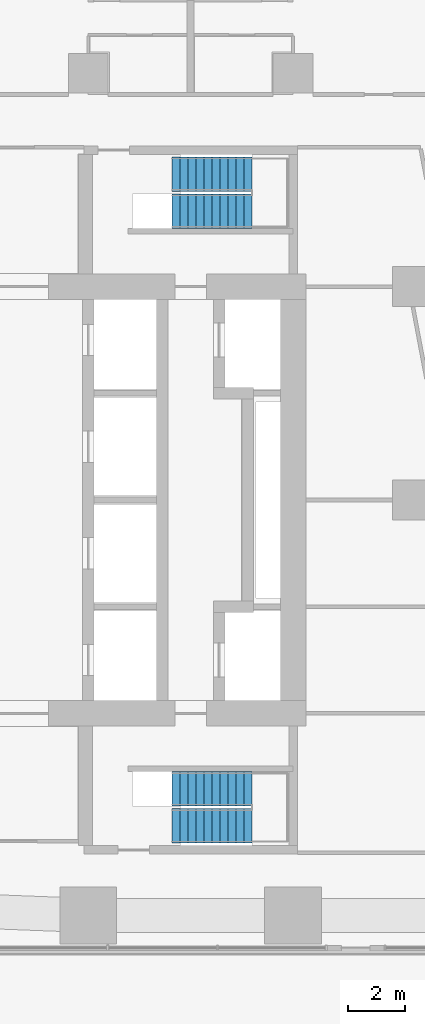
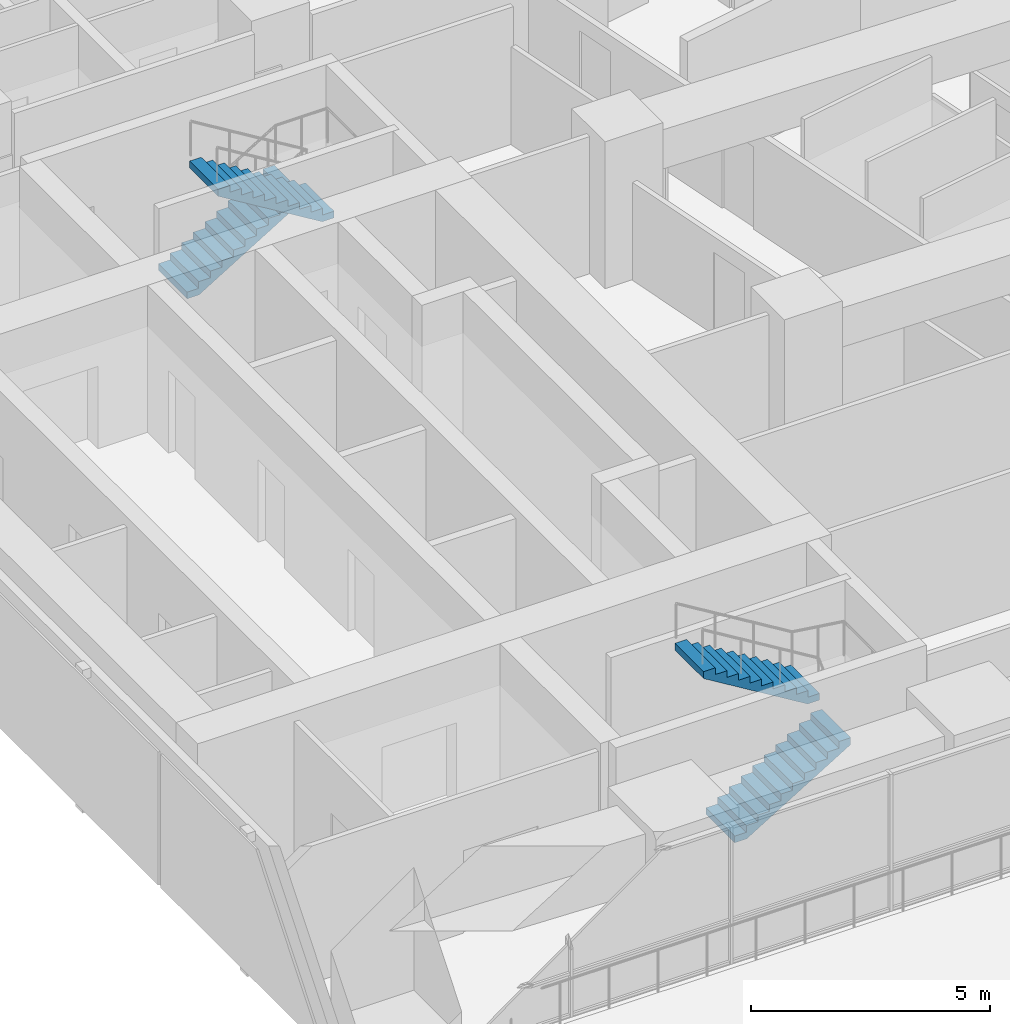
# One storey, part 10 of 12: 4 stair flights, 2 elements without a shape of their own.
"""IFC4 building model written with IfcOpenShell, lengths in metres."""

from ifc_helpers import new_model, si_unit, direction, frame, origin, place, context, subcontext, project, spatial, triangles, material, type_object, element, aggregate, save


model = new_model("IFC4")

# Units and contexts
model_context = context("Model", 3, precision=1e-05, world=origin(), true_north=direction((0.0, 1.0)))
body_context = subcontext(model_context, "Body", "Model", "MODEL_VIEW")
ifc_project = project(units=[si_unit("LENGTHUNIT", "METRE"), si_unit("AREAUNIT", "SQUARE_METRE"), si_unit("VOLUMEUNIT", "CUBIC_METRE"), si_unit("PLANEANGLEUNIT", "RADIAN"), si_unit("MASSUNIT", "GRAM", prefix="KILO")], contexts=[model_context])

# Site, building, storey
site_placement = place(None, origin())
site = spatial("IfcSite", under=ifc_project, at=site_placement, CompositionType="ELEMENT")
building_placement = place(site_placement, origin())
building = spatial("IfcBuilding", under=site, at=building_placement, Name="Sheger Commons Tower", CompositionType="ELEMENT")
storey_placement = place(building_placement, frame((0.0, 0.0, 251.60009765625)))
storey = spatial("IfcBuildingStorey", under=building, at=storey_placement, Name="L64", CompositionType="ELEMENT", Elevation=251.60009765625)

# Stair, stair flights
ifc_material_1 = material(Name="Concrete C35/45", Category="concrete")
stair_type = type_object("IfcStairType", Name="HALF-TURN STAIR 1200 RISE 3750", PredefinedType="HALF_TURN_STAIR", material=ifc_material_1)
stair_1_placement = place(storey_placement, origin())
stair_1 = element("IfcStair", 1, at=stair_1_placement, inside=storey, type_object=stair_type, Name="Stair S1 L64", PredefinedType="HALF_TURN_STAIR")
ifc_material_2 = material(Name="Concrete C35/45", Category="concrete")
stair_flight_type = type_object("IfcStairFlightType", Name="STAIR FLIGHT 1200 11 RISERS OF 170", PredefinedType="STRAIGHT", material=ifc_material_2)
stair_flight_1_placement = place(storey_placement, frame((24.550048828125, 11.050048828125, 0.0), z_axis=(0.0, 0.0, 1.0), x_axis=(1.0, 0.0, 0.0)))
stair_flight_1 = element("IfcStairFlight", 2, at=stair_flight_1_placement, type_object=stair_flight_type, Name="S1 flight 1", NumberOfRisers=11, NumberOfTreads=10, PredefinedType="STRAIGHT", RiserHeight=0.170454545, TreadLength=0.28, context=body_context, shape_type="Tessellation", body=[
    triangles([(0.0, 0.5999755859375, 0.0), (0.0, 0.5999755859375, 0.17041015625), (0.280029296875, 0.5999755859375, 0.17041015625), (0.280029296875, 0.5999755859375, 0.3408203125), (0.56005859375, 0.5999755859375, 0.3408203125), (0.56005859375, 0.5999755859375, 0.511474609375), (0.840087890625, 0.5999755859375, 0.511474609375), (0.840087890625, 0.5999755859375, 0.681884765625), (1.1201171875, 0.5999755859375, 0.681884765625), (1.1201171875, 0.5999755859375, 0.852294921875), (1.39990234375, 0.5999755859375, 0.852294921875), (1.39990234375, 0.5999755859375, 1.022705078125), (1.679931640625, 0.5999755859375, 1.022705078125), (1.679931640625, 0.5999755859375, 1.193115234375), (1.9599609375, 0.5999755859375, 1.193115234375), (1.9599609375, 0.5999755859375, 1.363525390625), (2.239990234375, 0.5999755859375, 1.363525390625), (2.239990234375, 0.5999755859375, 1.5341796875), (2.52001953125, 0.5999755859375, 1.5341796875), (2.52001953125, 0.5999755859375, 1.70458984375), (2.800048828125, 0.5999755859375, 1.70458984375), (2.800048828125, 0.5999755859375, 1.529052734375), (0.288330078125, 0.5999755859375, 0.0), (0.0, -0.5999755859375, 0.0), (0.0, -0.5999755859375, 0.17041015625), (0.280029296875, -0.5999755859375, 0.17041015625), (0.280029296875, -0.5999755859375, 0.3408203125), (0.56005859375, -0.5999755859375, 0.3408203125), (0.56005859375, -0.5999755859375, 0.511474609375), (0.840087890625, -0.5999755859375, 0.511474609375), (0.840087890625, -0.5999755859375, 0.681884765625), (1.1201171875, -0.5999755859375, 0.681884765625), (1.1201171875, -0.5999755859375, 0.852294921875), (1.39990234375, -0.5999755859375, 0.852294921875), (1.39990234375, -0.5999755859375, 1.022705078125), (1.679931640625, -0.5999755859375, 1.022705078125), (1.679931640625, -0.5999755859375, 1.193115234375), (1.9599609375, -0.5999755859375, 1.193115234375), (1.9599609375, -0.5999755859375, 1.363525390625), (2.239990234375, -0.5999755859375, 1.363525390625), (2.239990234375, -0.5999755859375, 1.5341796875), (2.52001953125, -0.5999755859375, 1.5341796875), (2.52001953125, -0.5999755859375, 1.70458984375), (2.800048828125, -0.5999755859375, 1.70458984375), (2.800048828125, -0.5999755859375, 1.529052734375), (0.288330078125, -0.5999755859375, 0.0), (0.0, 0.0, 0.085205078125), (0.1400146484375, 0.0, 0.17041015625), (0.280029296875, 0.0, 0.255615234375), (0.4200439453125, 0.0, 0.3408203125), (0.56005859375, 0.0, 0.4261474609375), (0.7000732421875, 0.0, 0.511474609375), (0.840087890625, 0.0, 0.5966796875), (0.9801025390625, 0.0, 0.681884765625), (1.1201171875, 0.0, 0.76708984375), (1.260009765625, 0.0, 0.852294921875), (1.39990234375, 0.0, 0.9375), (1.5399169921875, 0.0, 1.022705078125), (1.679931640625, 0.0, 1.10791015625), (1.8199462890625, 0.0, 1.193115234375), (1.9599609375, 0.0, 1.2783203125), (2.0999755859375, 0.0, 1.363525390625), (2.239990234375, 0.0, 1.4488525390625), (2.3800048828125, 0.0, 1.5341796875), (2.52001953125, 0.0, 1.619384765625), (2.6600341796875, 0.0, 1.70458984375), (2.800048828125, 0.0, 1.6168212890625), (1.544189453125, 0.0, 0.7645263671875), (0.1441650390625, 0.0, 0.0)], [[1, 22, 23], [24, 46, 45], [22, 20, 21], [45, 44, 43], [22, 19, 20], [45, 43, 42], [22, 18, 19], [45, 42, 41], [22, 17, 18], [45, 41, 40], [17, 15, 16], [40, 39, 38], [22, 15, 17], [45, 40, 38], [15, 13, 14], [38, 37, 36], [22, 13, 15], [45, 38, 36], [13, 11, 12], [36, 35, 34], [22, 11, 13], [45, 36, 34], [11, 9, 10], [34, 33, 32], [22, 9, 11], [45, 34, 32], [9, 7, 8], [32, 31, 30], [22, 7, 9], [45, 32, 30], [7, 5, 6], [30, 29, 28], [22, 5, 7], [45, 30, 28], [5, 3, 4], [28, 27, 26], [22, 3, 5], [45, 28, 26], [1, 3, 22], [24, 45, 26], [3, 1, 2], [26, 25, 24], [1, 47, 2], [2, 47, 25], [25, 47, 24], [24, 47, 1], [2, 48, 3], [3, 48, 26], [26, 48, 25], [25, 48, 2], [3, 49, 4], [4, 49, 27], [27, 49, 26], [26, 49, 3], [4, 50, 5], [5, 50, 28], [28, 50, 27], [27, 50, 4], [5, 51, 6], [6, 51, 29], [29, 51, 28], [28, 51, 5], [6, 52, 7], [7, 52, 30], [30, 52, 29], [29, 52, 6], [7, 53, 8], [8, 53, 31], [31, 53, 30], [30, 53, 7], [8, 54, 9], [9, 54, 32], [32, 54, 31], [31, 54, 8], [9, 55, 10], [10, 55, 33], [33, 55, 32], [32, 55, 9], [10, 56, 11], [11, 56, 34], [34, 56, 33], [33, 56, 10], [11, 57, 12], [12, 57, 35], [35, 57, 34], [34, 57, 11], [12, 58, 13], [13, 58, 36], [36, 58, 35], [35, 58, 12], [13, 59, 14], [14, 59, 37], [37, 59, 36], [36, 59, 13], [14, 60, 15], [15, 60, 38], [38, 60, 37], [37, 60, 14], [15, 61, 16], [16, 61, 39], [39, 61, 38], [38, 61, 15], [16, 62, 17], [17, 62, 40], [40, 62, 39], [39, 62, 16], [17, 63, 18], [18, 63, 41], [41, 63, 40], [40, 63, 17], [18, 64, 19], [19, 64, 42], [42, 64, 41], [41, 64, 18], [19, 65, 20], [20, 65, 43], [43, 65, 42], [42, 65, 19], [20, 66, 21], [21, 66, 44], [44, 66, 43], [43, 66, 20], [21, 67, 22], [22, 67, 45], [45, 67, 44], [44, 67, 21], [22, 68, 23], [23, 68, 46], [46, 68, 45], [45, 68, 22], [23, 69, 1], [1, 69, 24], [24, 69, 46], [46, 69, 23]], closed=True),
])
stair_flight_2_placement = place(storey_placement, frame((27.35009765625, 12.35009765625, 1.875), z_axis=(0.0, 0.0, 1.0), x_axis=(-1.0, 0.0, 0.0)))
stair_flight_2 = element("IfcStairFlight", 3, at=stair_flight_2_placement, type_object=stair_flight_type, Name="S1 flight 2", NumberOfRisers=11, NumberOfTreads=10, PredefinedType="STRAIGHT", RiserHeight=0.170454545, TreadLength=0.28, context=body_context, shape_type="Tessellation", body=[
    triangles([(0.0, 0.5999755859375, 0.0), (0.0, 0.5999755859375, 0.17041015625), (0.280029296875, 0.5999755859375, 0.17041015625), (0.280029296875, 0.5999755859375, 0.3408203125), (0.56005859375, 0.5999755859375, 0.3408203125), (0.56005859375, 0.5999755859375, 0.511474609375), (0.840087890625, 0.5999755859375, 0.511474609375), (0.840087890625, 0.5999755859375, 0.681884765625), (1.1201171875, 0.5999755859375, 0.681884765625), (1.1201171875, 0.5999755859375, 0.852294921875), (1.39990234375, 0.5999755859375, 0.852294921875), (1.39990234375, 0.5999755859375, 1.022705078125), (1.679931640625, 0.5999755859375, 1.022705078125), (1.679931640625, 0.5999755859375, 1.193115234375), (1.9599609375, 0.5999755859375, 1.193115234375), (1.9599609375, 0.5999755859375, 1.363525390625), (2.239990234375, 0.5999755859375, 1.363525390625), (2.239990234375, 0.5999755859375, 1.5341796875), (2.52001953125, 0.5999755859375, 1.5341796875), (2.52001953125, 0.5999755859375, 1.70458984375), (2.800048828125, 0.5999755859375, 1.70458984375), (2.800048828125, 0.5999755859375, 1.529052734375), (0.288330078125, 0.5999755859375, 0.0), (0.0, -0.5999755859375, 0.0), (0.0, -0.5999755859375, 0.17041015625), (0.280029296875, -0.5999755859375, 0.17041015625), (0.280029296875, -0.5999755859375, 0.3408203125), (0.56005859375, -0.5999755859375, 0.3408203125), (0.56005859375, -0.5999755859375, 0.511474609375), (0.840087890625, -0.5999755859375, 0.511474609375), (0.840087890625, -0.5999755859375, 0.681884765625), (1.1201171875, -0.5999755859375, 0.681884765625), (1.1201171875, -0.5999755859375, 0.852294921875), (1.39990234375, -0.5999755859375, 0.852294921875), (1.39990234375, -0.5999755859375, 1.022705078125), (1.679931640625, -0.5999755859375, 1.022705078125), (1.679931640625, -0.5999755859375, 1.193115234375), (1.9599609375, -0.5999755859375, 1.193115234375), (1.9599609375, -0.5999755859375, 1.363525390625), (2.239990234375, -0.5999755859375, 1.363525390625), (2.239990234375, -0.5999755859375, 1.5341796875), (2.52001953125, -0.5999755859375, 1.5341796875), (2.52001953125, -0.5999755859375, 1.70458984375), (2.800048828125, -0.5999755859375, 1.70458984375), (2.800048828125, -0.5999755859375, 1.529052734375), (0.288330078125, -0.5999755859375, 0.0), (0.0, 0.0, 0.085205078125), (0.1400146484375, 0.0, 0.17041015625), (0.280029296875, 0.0, 0.255615234375), (0.4200439453125, 0.0, 0.3408203125), (0.56005859375, 0.0, 0.4261474609375), (0.7000732421875, 0.0, 0.511474609375), (0.840087890625, 0.0, 0.5966796875), (0.9801025390625, 0.0, 0.681884765625), (1.1201171875, 0.0, 0.76708984375), (1.260009765625, 0.0, 0.852294921875), (1.39990234375, 0.0, 0.9375), (1.5399169921875, 0.0, 1.022705078125), (1.679931640625, 0.0, 1.10791015625), (1.8199462890625, 0.0, 1.193115234375), (1.9599609375, 0.0, 1.2783203125), (2.0999755859375, 0.0, 1.363525390625), (2.239990234375, 0.0, 1.4488525390625), (2.3800048828125, 0.0, 1.5341796875), (2.52001953125, 0.0, 1.619384765625), (2.6600341796875, 0.0, 1.70458984375), (2.800048828125, 0.0, 1.6168212890625), (1.544189453125, 0.0, 0.7645263671875), (0.1441650390625, 0.0, 0.0)], [[1, 22, 23], [24, 46, 45], [22, 20, 21], [45, 44, 43], [22, 19, 20], [45, 43, 42], [22, 18, 19], [45, 42, 41], [22, 17, 18], [45, 41, 40], [17, 15, 16], [40, 39, 38], [22, 15, 17], [45, 40, 38], [15, 13, 14], [38, 37, 36], [22, 13, 15], [45, 38, 36], [13, 11, 12], [36, 35, 34], [22, 11, 13], [45, 36, 34], [11, 9, 10], [34, 33, 32], [22, 9, 11], [45, 34, 32], [9, 7, 8], [32, 31, 30], [22, 7, 9], [45, 32, 30], [7, 5, 6], [30, 29, 28], [22, 5, 7], [45, 30, 28], [5, 3, 4], [28, 27, 26], [22, 3, 5], [45, 28, 26], [1, 3, 22], [24, 45, 26], [3, 1, 2], [26, 25, 24], [1, 47, 2], [2, 47, 25], [25, 47, 24], [24, 47, 1], [2, 48, 3], [3, 48, 26], [26, 48, 25], [25, 48, 2], [3, 49, 4], [4, 49, 27], [27, 49, 26], [26, 49, 3], [4, 50, 5], [5, 50, 28], [28, 50, 27], [27, 50, 4], [5, 51, 6], [6, 51, 29], [29, 51, 28], [28, 51, 5], [6, 52, 7], [7, 52, 30], [30, 52, 29], [29, 52, 6], [7, 53, 8], [8, 53, 31], [31, 53, 30], [30, 53, 7], [8, 54, 9], [9, 54, 32], [32, 54, 31], [31, 54, 8], [9, 55, 10], [10, 55, 33], [33, 55, 32], [32, 55, 9], [10, 56, 11], [11, 56, 34], [34, 56, 33], [33, 56, 10], [11, 57, 12], [12, 57, 35], [35, 57, 34], [34, 57, 11], [12, 58, 13], [13, 58, 36], [36, 58, 35], [35, 58, 12], [13, 59, 14], [14, 59, 37], [37, 59, 36], [36, 59, 13], [14, 60, 15], [15, 60, 38], [38, 60, 37], [37, 60, 14], [15, 61, 16], [16, 61, 39], [39, 61, 38], [38, 61, 15], [16, 62, 17], [17, 62, 40], [40, 62, 39], [39, 62, 16], [17, 63, 18], [18, 63, 41], [41, 63, 40], [40, 63, 17], [18, 64, 19], [19, 64, 42], [42, 64, 41], [41, 64, 18], [19, 65, 20], [20, 65, 43], [43, 65, 42], [42, 65, 19], [20, 66, 21], [21, 66, 44], [44, 66, 43], [43, 66, 20], [21, 67, 22], [22, 67, 45], [45, 67, 44], [44, 67, 21], [22, 68, 23], [23, 68, 46], [46, 68, 45], [45, 68, 22], [23, 69, 1], [1, 69, 24], [24, 69, 46], [46, 69, 23]], closed=True),
])
aggregate(stair_1, [stair_flight_1, stair_flight_2])

stair_2_placement = place(storey_placement, origin())
stair_2 = element("IfcStair", 4, at=stair_2_placement, inside=storey, type_object=stair_type, Name="Stair S2 L64", PredefinedType="HALF_TURN_STAIR")
stair_flight_3_placement = place(storey_placement, frame((24.550048828125, 33.949951171875, 0.0), z_axis=(0.0, 0.0, 1.0), x_axis=(1.0, 0.0, 0.0)))
stair_flight_3 = element("IfcStairFlight", 5, at=stair_flight_3_placement, type_object=stair_flight_type, Name="S2 flight 1", NumberOfRisers=11, NumberOfTreads=10, PredefinedType="STRAIGHT", RiserHeight=0.170454545, TreadLength=0.28, context=body_context, shape_type="Tessellation", body=[
    triangles([(0.0, 0.5999755859375, 0.0), (0.0, 0.5999755859375, 0.17041015625), (0.280029296875, 0.5999755859375, 0.17041015625), (0.280029296875, 0.5999755859375, 0.3408203125), (0.56005859375, 0.5999755859375, 0.3408203125), (0.56005859375, 0.5999755859375, 0.511474609375), (0.840087890625, 0.5999755859375, 0.511474609375), (0.840087890625, 0.5999755859375, 0.681884765625), (1.1201171875, 0.5999755859375, 0.681884765625), (1.1201171875, 0.5999755859375, 0.852294921875), (1.39990234375, 0.5999755859375, 0.852294921875), (1.39990234375, 0.5999755859375, 1.022705078125), (1.679931640625, 0.5999755859375, 1.022705078125), (1.679931640625, 0.5999755859375, 1.193115234375), (1.9599609375, 0.5999755859375, 1.193115234375), (1.9599609375, 0.5999755859375, 1.363525390625), (2.239990234375, 0.5999755859375, 1.363525390625), (2.239990234375, 0.5999755859375, 1.5341796875), (2.52001953125, 0.5999755859375, 1.5341796875), (2.52001953125, 0.5999755859375, 1.70458984375), (2.800048828125, 0.5999755859375, 1.70458984375), (2.800048828125, 0.5999755859375, 1.529052734375), (0.288330078125, 0.5999755859375, 0.0), (0.0, -0.5999755859375, 0.0), (0.0, -0.5999755859375, 0.17041015625), (0.280029296875, -0.5999755859375, 0.17041015625), (0.280029296875, -0.5999755859375, 0.3408203125), (0.56005859375, -0.5999755859375, 0.3408203125), (0.56005859375, -0.5999755859375, 0.511474609375), (0.840087890625, -0.5999755859375, 0.511474609375), (0.840087890625, -0.5999755859375, 0.681884765625), (1.1201171875, -0.5999755859375, 0.681884765625), (1.1201171875, -0.5999755859375, 0.852294921875), (1.39990234375, -0.5999755859375, 0.852294921875), (1.39990234375, -0.5999755859375, 1.022705078125), (1.679931640625, -0.5999755859375, 1.022705078125), (1.679931640625, -0.5999755859375, 1.193115234375), (1.9599609375, -0.5999755859375, 1.193115234375), (1.9599609375, -0.5999755859375, 1.363525390625), (2.239990234375, -0.5999755859375, 1.363525390625), (2.239990234375, -0.5999755859375, 1.5341796875), (2.52001953125, -0.5999755859375, 1.5341796875), (2.52001953125, -0.5999755859375, 1.70458984375), (2.800048828125, -0.5999755859375, 1.70458984375), (2.800048828125, -0.5999755859375, 1.529052734375), (0.288330078125, -0.5999755859375, 0.0), (0.0, 0.0, 0.085205078125), (0.1400146484375, 0.0, 0.17041015625), (0.280029296875, 0.0, 0.255615234375), (0.4200439453125, 0.0, 0.3408203125), (0.56005859375, 0.0, 0.4261474609375), (0.7000732421875, 0.0, 0.511474609375), (0.840087890625, 0.0, 0.5966796875), (0.9801025390625, 0.0, 0.681884765625), (1.1201171875, 0.0, 0.76708984375), (1.260009765625, 0.0, 0.852294921875), (1.39990234375, 0.0, 0.9375), (1.5399169921875, 0.0, 1.022705078125), (1.679931640625, 0.0, 1.10791015625), (1.8199462890625, 0.0, 1.193115234375), (1.9599609375, 0.0, 1.2783203125), (2.0999755859375, 0.0, 1.363525390625), (2.239990234375, 0.0, 1.4488525390625), (2.3800048828125, 0.0, 1.5341796875), (2.52001953125, 0.0, 1.619384765625), (2.6600341796875, 0.0, 1.70458984375), (2.800048828125, 0.0, 1.6168212890625), (1.544189453125, 0.0, 0.7645263671875), (0.1441650390625, 0.0, 0.0)], [[1, 22, 23], [24, 46, 45], [22, 20, 21], [45, 44, 43], [22, 19, 20], [45, 43, 42], [22, 18, 19], [45, 42, 41], [22, 17, 18], [45, 41, 40], [17, 15, 16], [40, 39, 38], [22, 15, 17], [45, 40, 38], [15, 13, 14], [38, 37, 36], [22, 13, 15], [45, 38, 36], [13, 11, 12], [36, 35, 34], [22, 11, 13], [45, 36, 34], [11, 9, 10], [34, 33, 32], [22, 9, 11], [45, 34, 32], [9, 7, 8], [32, 31, 30], [22, 7, 9], [45, 32, 30], [7, 5, 6], [30, 29, 28], [22, 5, 7], [45, 30, 28], [5, 3, 4], [28, 27, 26], [22, 3, 5], [45, 28, 26], [1, 3, 22], [24, 45, 26], [3, 1, 2], [26, 25, 24], [1, 47, 2], [2, 47, 25], [25, 47, 24], [24, 47, 1], [2, 48, 3], [3, 48, 26], [26, 48, 25], [25, 48, 2], [3, 49, 4], [4, 49, 27], [27, 49, 26], [26, 49, 3], [4, 50, 5], [5, 50, 28], [28, 50, 27], [27, 50, 4], [5, 51, 6], [6, 51, 29], [29, 51, 28], [28, 51, 5], [6, 52, 7], [7, 52, 30], [30, 52, 29], [29, 52, 6], [7, 53, 8], [8, 53, 31], [31, 53, 30], [30, 53, 7], [8, 54, 9], [9, 54, 32], [32, 54, 31], [31, 54, 8], [9, 55, 10], [10, 55, 33], [33, 55, 32], [32, 55, 9], [10, 56, 11], [11, 56, 34], [34, 56, 33], [33, 56, 10], [11, 57, 12], [12, 57, 35], [35, 57, 34], [34, 57, 11], [12, 58, 13], [13, 58, 36], [36, 58, 35], [35, 58, 12], [13, 59, 14], [14, 59, 37], [37, 59, 36], [36, 59, 13], [14, 60, 15], [15, 60, 38], [38, 60, 37], [37, 60, 14], [15, 61, 16], [16, 61, 39], [39, 61, 38], [38, 61, 15], [16, 62, 17], [17, 62, 40], [40, 62, 39], [39, 62, 16], [17, 63, 18], [18, 63, 41], [41, 63, 40], [40, 63, 17], [18, 64, 19], [19, 64, 42], [42, 64, 41], [41, 64, 18], [19, 65, 20], [20, 65, 43], [43, 65, 42], [42, 65, 19], [20, 66, 21], [21, 66, 44], [44, 66, 43], [43, 66, 20], [21, 67, 22], [22, 67, 45], [45, 67, 44], [44, 67, 21], [22, 68, 23], [23, 68, 46], [46, 68, 45], [45, 68, 22], [23, 69, 1], [1, 69, 24], [24, 69, 46], [46, 69, 23]], closed=True),
])
stair_flight_4_placement = place(storey_placement, frame((27.35009765625, 32.64990234375, 1.875), z_axis=(0.0, 0.0, 1.0), x_axis=(-1.0, 0.0, 0.0)))
stair_flight_4 = element("IfcStairFlight", 6, at=stair_flight_4_placement, type_object=stair_flight_type, Name="S2 flight 2", NumberOfRisers=11, NumberOfTreads=10, PredefinedType="STRAIGHT", RiserHeight=0.170454545, TreadLength=0.28, context=body_context, shape_type="Tessellation", body=[
    triangles([(0.0, 0.5999755859375, 0.0), (0.0, 0.5999755859375, 0.17041015625), (0.280029296875, 0.5999755859375, 0.17041015625), (0.280029296875, 0.5999755859375, 0.3408203125), (0.56005859375, 0.5999755859375, 0.3408203125), (0.56005859375, 0.5999755859375, 0.511474609375), (0.840087890625, 0.5999755859375, 0.511474609375), (0.840087890625, 0.5999755859375, 0.681884765625), (1.1201171875, 0.5999755859375, 0.681884765625), (1.1201171875, 0.5999755859375, 0.852294921875), (1.39990234375, 0.5999755859375, 0.852294921875), (1.39990234375, 0.5999755859375, 1.022705078125), (1.679931640625, 0.5999755859375, 1.022705078125), (1.679931640625, 0.5999755859375, 1.193115234375), (1.9599609375, 0.5999755859375, 1.193115234375), (1.9599609375, 0.5999755859375, 1.363525390625), (2.239990234375, 0.5999755859375, 1.363525390625), (2.239990234375, 0.5999755859375, 1.5341796875), (2.52001953125, 0.5999755859375, 1.5341796875), (2.52001953125, 0.5999755859375, 1.70458984375), (2.800048828125, 0.5999755859375, 1.70458984375), (2.800048828125, 0.5999755859375, 1.529052734375), (0.288330078125, 0.5999755859375, 0.0), (0.0, -0.5999755859375, 0.0), (0.0, -0.5999755859375, 0.17041015625), (0.280029296875, -0.5999755859375, 0.17041015625), (0.280029296875, -0.5999755859375, 0.3408203125), (0.56005859375, -0.5999755859375, 0.3408203125), (0.56005859375, -0.5999755859375, 0.511474609375), (0.840087890625, -0.5999755859375, 0.511474609375), (0.840087890625, -0.5999755859375, 0.681884765625), (1.1201171875, -0.5999755859375, 0.681884765625), (1.1201171875, -0.5999755859375, 0.852294921875), (1.39990234375, -0.5999755859375, 0.852294921875), (1.39990234375, -0.5999755859375, 1.022705078125), (1.679931640625, -0.5999755859375, 1.022705078125), (1.679931640625, -0.5999755859375, 1.193115234375), (1.9599609375, -0.5999755859375, 1.193115234375), (1.9599609375, -0.5999755859375, 1.363525390625), (2.239990234375, -0.5999755859375, 1.363525390625), (2.239990234375, -0.5999755859375, 1.5341796875), (2.52001953125, -0.5999755859375, 1.5341796875), (2.52001953125, -0.5999755859375, 1.70458984375), (2.800048828125, -0.5999755859375, 1.70458984375), (2.800048828125, -0.5999755859375, 1.529052734375), (0.288330078125, -0.5999755859375, 0.0), (0.0, 0.0, 0.085205078125), (0.1400146484375, 0.0, 0.17041015625), (0.280029296875, 0.0, 0.255615234375), (0.4200439453125, 0.0, 0.3408203125), (0.56005859375, 0.0, 0.4261474609375), (0.7000732421875, 0.0, 0.511474609375), (0.840087890625, 0.0, 0.5966796875), (0.9801025390625, 0.0, 0.681884765625), (1.1201171875, 0.0, 0.76708984375), (1.260009765625, 0.0, 0.852294921875), (1.39990234375, 0.0, 0.9375), (1.5399169921875, 0.0, 1.022705078125), (1.679931640625, 0.0, 1.10791015625), (1.8199462890625, 0.0, 1.193115234375), (1.9599609375, 0.0, 1.2783203125), (2.0999755859375, 0.0, 1.363525390625), (2.239990234375, 0.0, 1.4488525390625), (2.3800048828125, 0.0, 1.5341796875), (2.52001953125, 0.0, 1.619384765625), (2.6600341796875, 0.0, 1.70458984375), (2.800048828125, 0.0, 1.6168212890625), (1.544189453125, 0.0, 0.7645263671875), (0.1441650390625, 0.0, 0.0)], [[1, 22, 23], [24, 46, 45], [22, 20, 21], [45, 44, 43], [22, 19, 20], [45, 43, 42], [22, 18, 19], [45, 42, 41], [22, 17, 18], [45, 41, 40], [17, 15, 16], [40, 39, 38], [22, 15, 17], [45, 40, 38], [15, 13, 14], [38, 37, 36], [22, 13, 15], [45, 38, 36], [13, 11, 12], [36, 35, 34], [22, 11, 13], [45, 36, 34], [11, 9, 10], [34, 33, 32], [22, 9, 11], [45, 34, 32], [9, 7, 8], [32, 31, 30], [22, 7, 9], [45, 32, 30], [7, 5, 6], [30, 29, 28], [22, 5, 7], [45, 30, 28], [5, 3, 4], [28, 27, 26], [22, 3, 5], [45, 28, 26], [1, 3, 22], [24, 45, 26], [3, 1, 2], [26, 25, 24], [1, 47, 2], [2, 47, 25], [25, 47, 24], [24, 47, 1], [2, 48, 3], [3, 48, 26], [26, 48, 25], [25, 48, 2], [3, 49, 4], [4, 49, 27], [27, 49, 26], [26, 49, 3], [4, 50, 5], [5, 50, 28], [28, 50, 27], [27, 50, 4], [5, 51, 6], [6, 51, 29], [29, 51, 28], [28, 51, 5], [6, 52, 7], [7, 52, 30], [30, 52, 29], [29, 52, 6], [7, 53, 8], [8, 53, 31], [31, 53, 30], [30, 53, 7], [8, 54, 9], [9, 54, 32], [32, 54, 31], [31, 54, 8], [9, 55, 10], [10, 55, 33], [33, 55, 32], [32, 55, 9], [10, 56, 11], [11, 56, 34], [34, 56, 33], [33, 56, 10], [11, 57, 12], [12, 57, 35], [35, 57, 34], [34, 57, 11], [12, 58, 13], [13, 58, 36], [36, 58, 35], [35, 58, 12], [13, 59, 14], [14, 59, 37], [37, 59, 36], [36, 59, 13], [14, 60, 15], [15, 60, 38], [38, 60, 37], [37, 60, 14], [15, 61, 16], [16, 61, 39], [39, 61, 38], [38, 61, 15], [16, 62, 17], [17, 62, 40], [40, 62, 39], [39, 62, 16], [17, 63, 18], [18, 63, 41], [41, 63, 40], [40, 63, 17], [18, 64, 19], [19, 64, 42], [42, 64, 41], [41, 64, 18], [19, 65, 20], [20, 65, 43], [43, 65, 42], [42, 65, 19], [20, 66, 21], [21, 66, 44], [44, 66, 43], [43, 66, 20], [21, 67, 22], [22, 67, 45], [45, 67, 44], [44, 67, 21], [22, 68, 23], [23, 68, 46], [46, 68, 45], [45, 68, 22], [23, 69, 1], [1, 69, 24], [24, 69, 46], [46, 69, 23]], closed=True),
])
aggregate(stair_2, [stair_flight_3, stair_flight_4])

save(model, "model.ifc")
